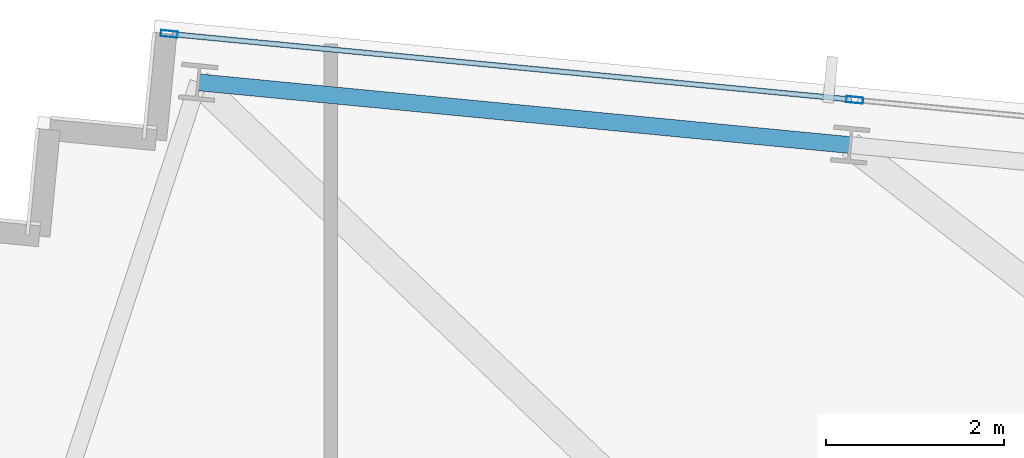
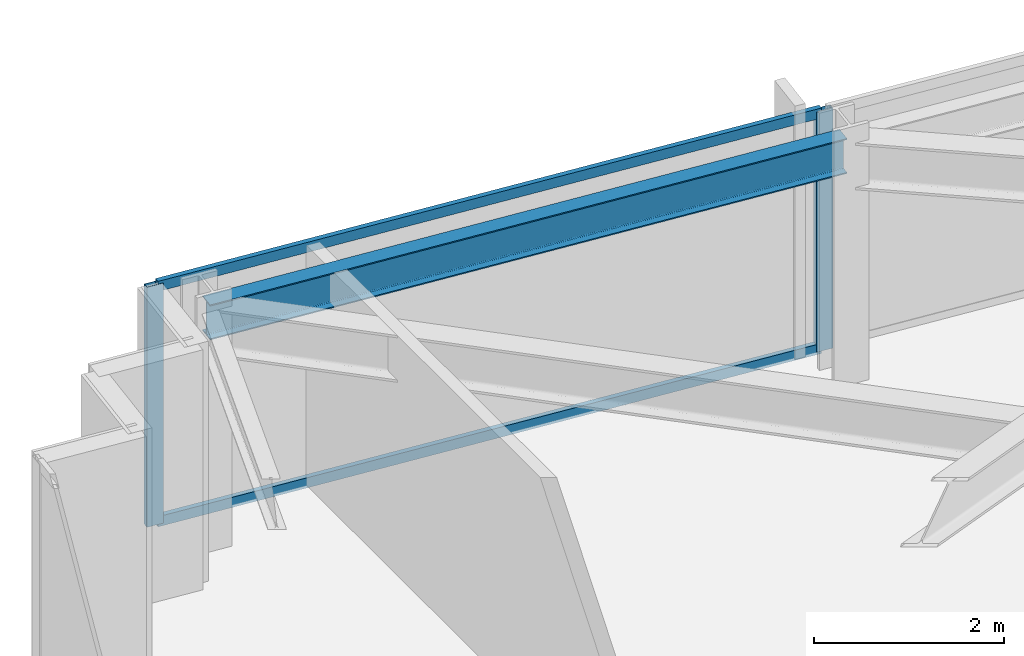
# One storey, part 23 of 37: 4 members, 1 beam, 1 element without a shape of its own.
"""IFC4 building model written with IfcOpenShell, lengths in metres."""

from ifc_helpers import new_model, si_unit, direction, frame, origin, origin_2d, place, context, subcontext, project, spatial, hollow_rectangle, i_section, extrude, material, material_profile, profile_set, type_object, element, aggregate, save


model = new_model("IFC4")

# Units and contexts
model_context = context("Model", 3, precision=1e-05, world=origin(), true_north=direction((0.0, 1.0)))
body_context = subcontext(model_context, "Body", "Model", "MODEL_VIEW")
ifc_project = project(units=[si_unit("LENGTHUNIT", "METRE"), si_unit("AREAUNIT", "SQUARE_METRE"), si_unit("VOLUMEUNIT", "CUBIC_METRE"), si_unit("PLANEANGLEUNIT", "RADIAN"), si_unit("MASSUNIT", "GRAM", prefix="KILO")], contexts=[model_context])

# Site, building, storey
site_placement = place(None, origin())
site = spatial("IfcSite", under=ifc_project, at=site_placement, CompositionType="ELEMENT")
building_placement = place(site_placement, origin())
building = spatial("IfcBuilding", under=site, at=building_placement, Name="Yelkora Congress Tower", CompositionType="ELEMENT")
storey_placement = place(building_placement, frame((0.0, 0.0, 162.199951171875)))
storey = spatial("IfcBuildingStorey", under=building, at=storey_placement, Name="L44", CompositionType="ELEMENT", Elevation=162.199951171875)

# Beam
ifc_material_1 = material(Name="Steel S355J2", Category="steel")
ifc_material_profile_1 = material_profile(ifc_material_1, i_section(OverallWidth=0.18994140625, OverallDepth=0.449951171875, WebThickness=0.009521484375, FlangeThickness=0.0146484375, FilletRadius=0.02099609375, at=origin_2d()), Name="IPE 450")
ifc_profile_set_1 = profile_set([ifc_material_profile_1], Name="Steel S355J2")
beam_type = type_object("IfcBeamType", Name="BM-SPAN-IPE450", PredefinedType="SPANDREL", material=ifc_profile_set_1)
beam_placement = place(storey_placement, frame((14.712158203125, 49.685546875, 2.85498046875), z_axis=(-0.995397104697, 0.095836339457, 0.0), x_axis=(-0.095836339457, -0.995397104697, 0.0)))
element("IfcBeam", 1, at=beam_placement, inside=storey, type_object=beam_type, Name="L44 Perimeter Beam 15", PredefinedType="SPANDREL", context=body_context, shape_type="SweptSolid", body=[
    extrude(i_section(OverallWidth=0.18994140625, OverallDepth=0.449951171875, WebThickness=0.009521484375, FlangeThickness=0.0146484375, FilletRadius=0.02099609375, at=origin_2d()), origin(), (0.0, 0.0, 1.0), 7.357177734375),
])

# Curtain wall, members
ifc_material_2 = material(Name="Anodised aluminium and insulated glass", Category="aluminium")
curtain_wall_type = type_object("IfcCurtainWallType", Name="CW-SYS-B3", PredefinedType="NOTDEFINED", material=ifc_material_2)
curtain_wall_placement = place(storey_placement, origin())
curtain_wall = element("IfcCurtainWall", 2, at=curtain_wall_placement, inside=storey, type_object=curtain_wall_type, Name="L44 Unitised Curtain Wall 10 (1)", PredefinedType="NOTDEFINED")
ifc_material_3 = material(Name="Anodised aluminium 6063-T6", Category="aluminium")
ifc_material_profile_2 = material_profile(ifc_material_3, hollow_rectangle(XDim=0.070068359375, YDim=0.18994140625, WallThickness=0.00390625, at=origin_2d()), Name="ALU 70x190x4")
ifc_profile_set_2 = profile_set([ifc_material_profile_2], Name="Anodised aluminium 6063-T6")
member_type_1 = type_object("IfcMemberType", Name="MEM-ML-B3", PredefinedType="MULLION", material=ifc_profile_set_2)
member_1_placement = place(storey_placement, frame((7.064453125, 50.934326171875, 0.0), z_axis=(0.0, 0.0, 1.0), x_axis=(0.095844761168, 0.995396293823, 0.0)))
member_1 = element("IfcMember", 3, at=member_1_placement, type_object=member_type_1, Name="CW-B3 mullion 1", PredefinedType="MULLION", context=body_context, shape_type="SweptSolid", body=[
    extrude(hollow_rectangle(XDim=0.070068359375, YDim=0.18994140625, WallThickness=0.00390625, at=origin_2d()), origin(), (0.0, 0.0, 1.0), 3.080078125),
])
member_2_placement = place(storey_placement, frame((14.76318359375, 50.19287109375, 0.0), z_axis=(0.0, 0.0, 1.0), x_axis=(0.095844761168, 0.995396293823, 0.0)))
member_2 = element("IfcMember", 4, at=member_2_placement, type_object=member_type_1, Name="CW-B3 mullion 2", PredefinedType="MULLION", context=body_context, shape_type="SweptSolid", body=[
    extrude(hollow_rectangle(XDim=0.070068359375, YDim=0.18994140625, WallThickness=0.00390625, at=origin_2d()), origin(), (0.0, 0.0, 1.0), 3.080078125),
])
ifc_material_profile_3 = material_profile(ifc_material_3, hollow_rectangle(XDim=0.06005859375, YDim=0.1298828125, WallThickness=0.00390625, at=origin_2d()), Name="ALU 60x130x4")
ifc_profile_set_3 = profile_set([ifc_material_profile_3], Name="Anodised aluminium 6063-T6")
member_type_2 = type_object("IfcMemberType", Name="MEM-TR-B3", PredefinedType="USERDEFINED", material=ifc_profile_set_3)
member_3_placement = place(storey_placement, frame((7.099365234375, 50.930908203125, 0.030029296875), z_axis=(0.995395712642, -0.09585079683, 0.0), x_axis=(0.09585079683, 0.995395712642, 0.0)))
member_3 = element("IfcMember", 5, at=member_3_placement, type_object=member_type_2, Name="CW-B3 transom 1.1", ObjectType="TRANSOM", PredefinedType="USERDEFINED", context=body_context, shape_type="SweptSolid", body=[
    extrude(hollow_rectangle(XDim=0.06005859375, YDim=0.1298828125, WallThickness=0.00390625, at=origin_2d()), origin(), (0.0, 0.0, 1.0), 7.664306640625),
])
member_4_placement = place(storey_placement, frame((7.099365234375, 50.930908203125, 3.050048828125), z_axis=(0.995395712642, -0.09585079683, 0.0), x_axis=(0.09585079683, 0.995395712642, 0.0)))
member_4 = element("IfcMember", 6, at=member_4_placement, type_object=member_type_2, Name="CW-B3 transom 1.2", ObjectType="TRANSOM", PredefinedType="USERDEFINED", context=body_context, shape_type="SweptSolid", body=[
    extrude(hollow_rectangle(XDim=0.06005859375, YDim=0.1298828125, WallThickness=0.00390625, at=origin_2d()), origin(), (0.0, 0.0, 1.0), 7.664306640625),
])
aggregate(curtain_wall, [member_1, member_2, member_3, member_4])

save(model, "model.ifc")
